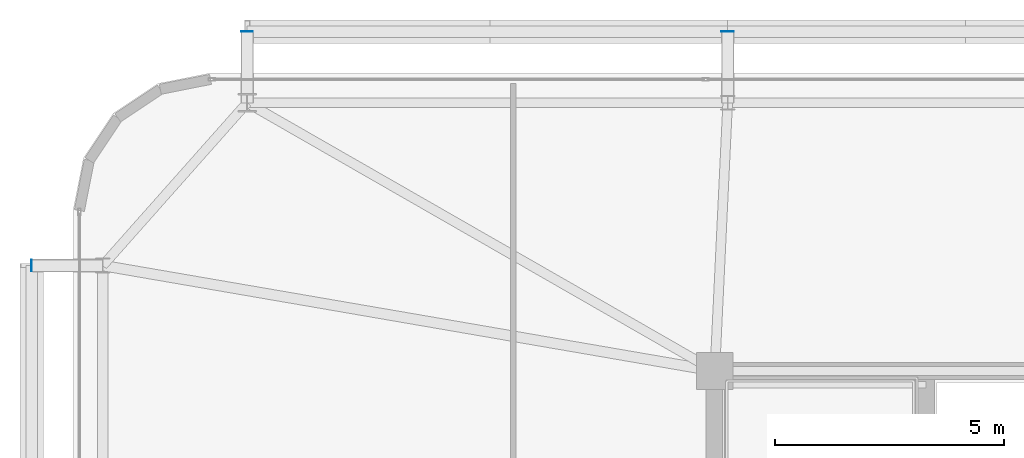
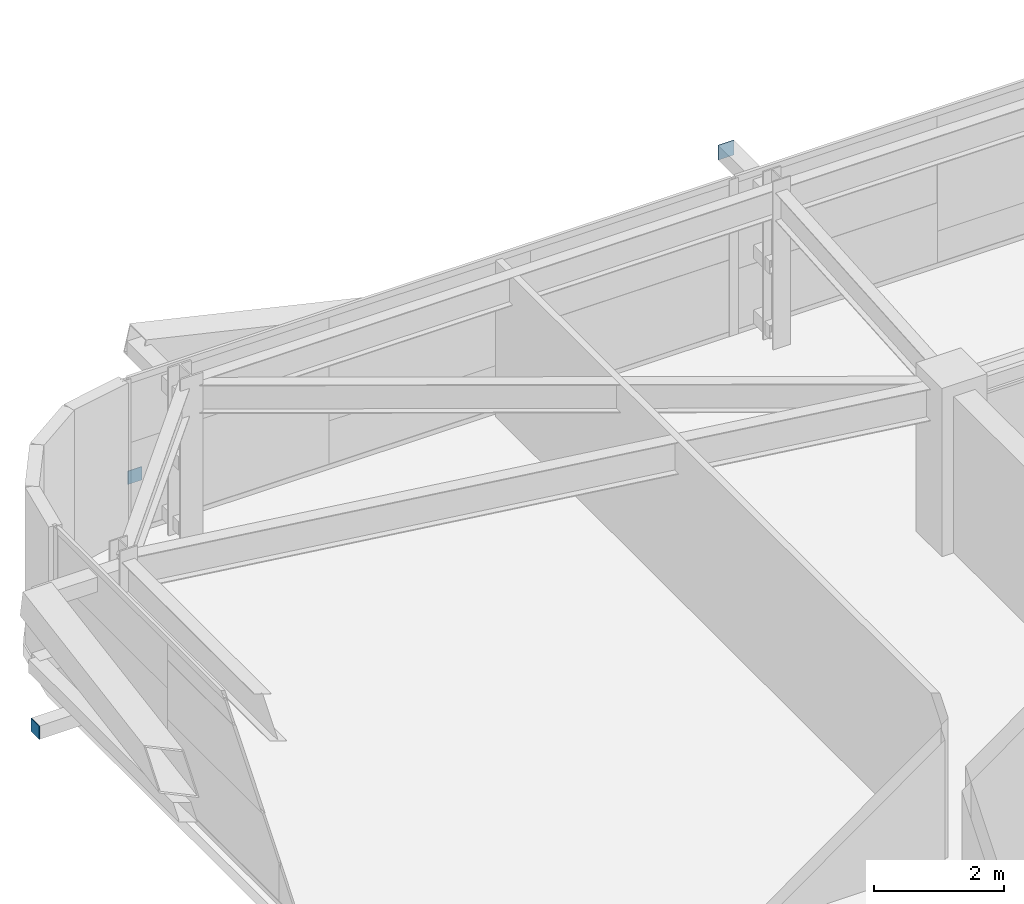
# One storey, part 36 of 44: 3 plates.
"""IFC4 building model written with IfcOpenShell, lengths in metres."""

from ifc_helpers import new_model, si_unit, direction, frame, origin, origin_2d, place, context, subcontext, project, spatial, rectangle, extrude, source, transform, mapped, material, layer, layer_set, type_object, element, save


model = new_model("IFC4")

# Units and contexts
model_context = context("Model", 3, precision=1e-05, world=origin(), true_north=direction((0.0, 1.0)))
body_context = subcontext(model_context, "Body", "Model", "MODEL_VIEW")
ifc_project = project(units=[si_unit("LENGTHUNIT", "METRE"), si_unit("AREAUNIT", "SQUARE_METRE"), si_unit("VOLUMEUNIT", "CUBIC_METRE"), si_unit("PLANEANGLEUNIT", "RADIAN"), si_unit("MASSUNIT", "GRAM", prefix="KILO")], contexts=[model_context])

# Site, building, storey
site_placement = place(None, origin())
site = spatial("IfcSite", under=ifc_project, at=site_placement, CompositionType="ELEMENT")
building_placement = place(site_placement, origin())
building = spatial("IfcBuilding", under=site, at=building_placement, Name="Taldren Reach Tower", CompositionType="ELEMENT")
storey_placement = place(building_placement, frame((0.0, 0.0, 38.85009765625)))
storey = spatial("IfcBuildingStorey", under=building, at=storey_placement, Name="L11", CompositionType="ELEMENT", Elevation=38.85009765625)

# Plates
ifc_material_1 = material(Name="Steel Gr 450 (C450L0)", Category="steel")
ifc_layer_1 = layer(ifc_material_1, 0.011962890625)
ifc_layer_set_1 = layer_set([ifc_layer_1], Name="Steel Gr 450 (C450L0)")
plate_type_1 = type_object("IfcPlateType", Name="PL-CAP-275", PredefinedType="SHEET", material=ifc_layer_set_1)
shared_shape_1 = source(origin(), body_context, "Body", "SweptSolid", [
    extrude(rectangle(XDim=0.27490234375, YDim=0.011962890625, at=origin_2d()), origin(), (0.0, 0.0, 1.0), 0.27490234375),
])
plate_1_placement = place(storey_placement, frame((19.280029296875, 39.406005859375, 2.512451171875), z_axis=(0.0, 0.0, 1.0), x_axis=(1.0, 0.0, 0.0)))
element("IfcPlate", 1, at=plate_1_placement, inside=storey, type_object=plate_type_1, Name="Tie strut end cap plate B1-N2 L11", PredefinedType="SHEET", context=body_context, shape_type="MappedRepresentation", body=[
    mapped(shared_shape_1, transform((0.0, 0.0, 0.0), scale=1.0)),
])
ifc_material_2 = material(Name="Steel Gr 350 (C350L0)", Category="steel")
ifc_layer_2 = layer(ifc_material_2, 0.011962890625)
ifc_layer_set_2 = layer_set([ifc_layer_2], Name="Steel Gr 350 (C350L0)")
plate_type_2 = type_object("IfcPlateType", Name="PL-CAP-250", PredefinedType="SHEET", material=ifc_layer_set_2)
shared_shape_2 = source(origin(), body_context, "Body", "SweptSolid", [
    extrude(rectangle(XDim=0.25, YDim=0.011962890625, at=origin_2d()), origin(), (0.0, 0.0, 1.0), 0.25),
])
plate_2_placement = place(storey_placement, frame((8.800048828125, 39.406005859375, 0.094970703125), z_axis=(0.0, 0.0, 1.0), x_axis=(1.0, 0.0, 0.0)))
element("IfcPlate", 2, at=plate_2_placement, inside=storey, type_object=plate_type_2, Name="Tie strut end cap plate B1-N1 L11", PredefinedType="SHEET", context=body_context, shape_type="MappedRepresentation", body=[
    mapped(shared_shape_2, transform((0.0, 0.0, 0.0), scale=1.0)),
])
shared_shape_3 = source(origin(), body_context, "Body", "SweptSolid", [
    extrude(rectangle(XDim=0.011962890625, YDim=0.25, at=origin_2d()), origin(), (0.0, 0.0, 1.0), 0.25),
])
plate_3_placement = place(storey_placement, frame((4.093994140625, 34.300048828125, 0.094970703125), z_axis=(0.0, 0.0, 1.0), x_axis=(1.0, 0.0, 0.0)))
element("IfcPlate", 3, at=plate_3_placement, inside=storey, type_object=plate_type_2, Name="Tie strut end cap plate B1-W3 L11", PredefinedType="SHEET", context=body_context, shape_type="MappedRepresentation", body=[
    mapped(shared_shape_3, transform((0.0, 0.0, 0.0), scale=1.0)),
])

save(model, "model.ifc")
